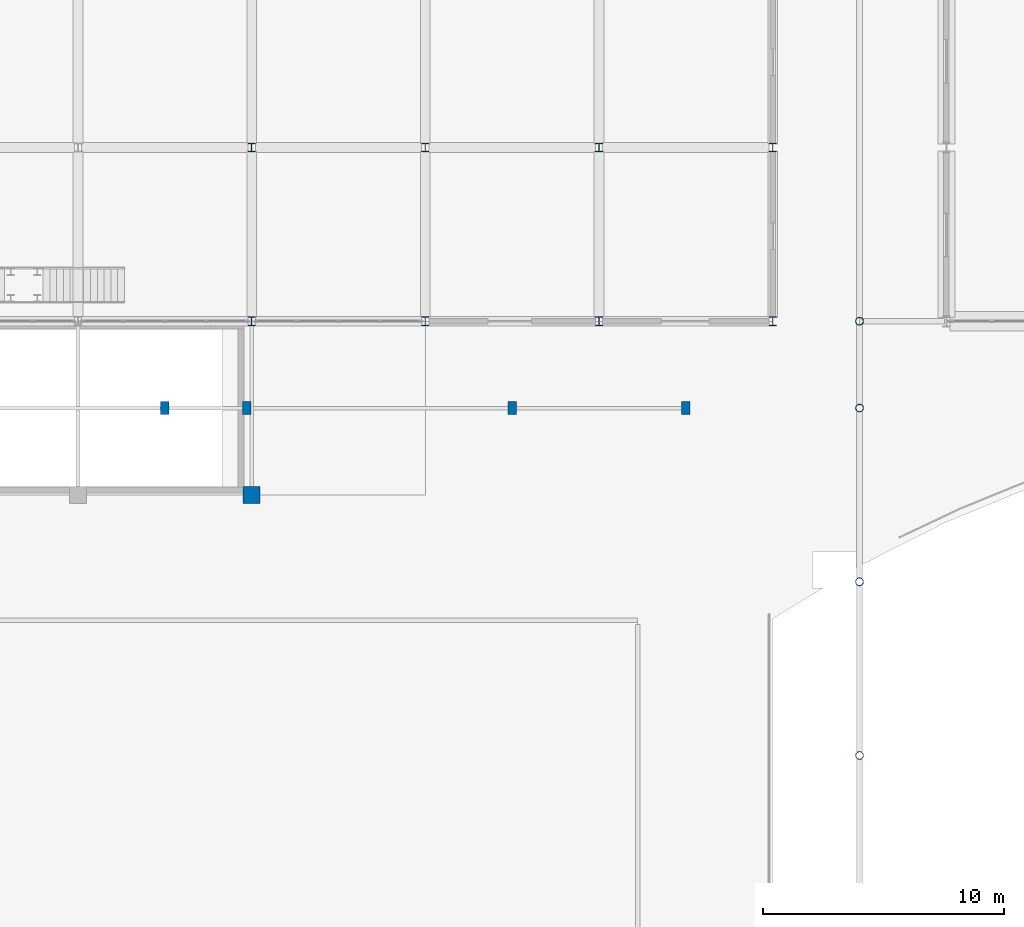
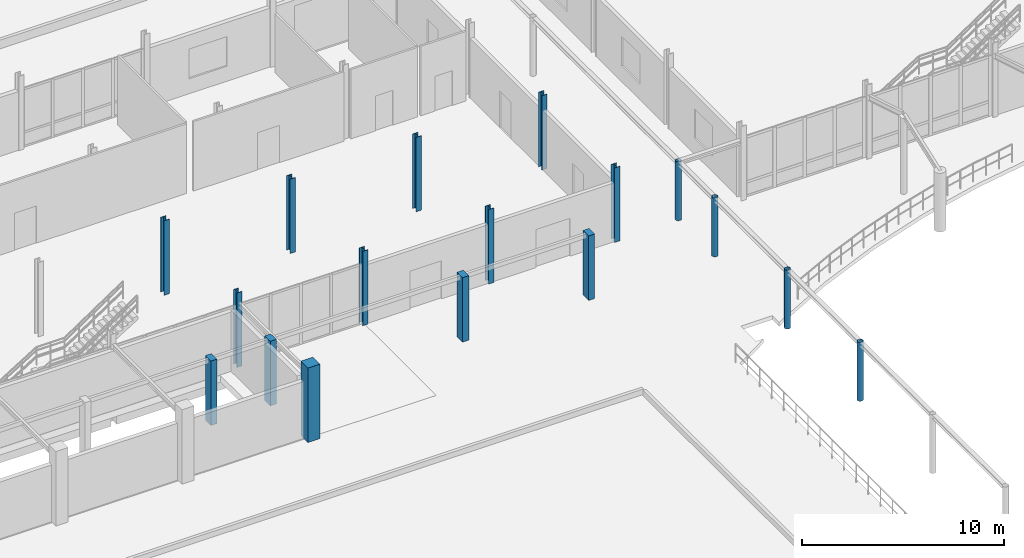
# One storey, part 4 of 139: 17 columns.
"""IFC4 building model written with IfcOpenShell, lengths in metres."""

from ifc_helpers import new_model, si_unit, direction, frame, origin, origin_2d, place, context, subcontext, project, spatial, rectangle, hollow_circle, i_section, extrude, material, material_profile, profile_set, type_object, element, save


model = new_model("IFC4")

# Units and contexts
model_context = context("Model", 3, precision=1e-05, world=origin(), true_north=direction((0.0, 1.0)))
body_context = subcontext(model_context, "Body", "Model", "MODEL_VIEW")
ifc_project = project(units=[si_unit("LENGTHUNIT", "METRE"), si_unit("AREAUNIT", "SQUARE_METRE"), si_unit("VOLUMEUNIT", "CUBIC_METRE"), si_unit("PLANEANGLEUNIT", "RADIAN"), si_unit("MASSUNIT", "GRAM", prefix="KILO")], contexts=[model_context])

# Site, building, storey
site_placement = place(None, origin())
site = spatial("IfcSite", under=ifc_project, at=site_placement, CompositionType="ELEMENT")
building_placement = place(site_placement, origin())
building = spatial("IfcBuilding", under=site, at=building_placement, Name="Suanplinth Sawtooth Commons", CompositionType="ELEMENT")
storey_placement = place(building_placement, origin())
storey = spatial("IfcBuildingStorey", under=building, at=storey_placement, Name="L00", CompositionType="ELEMENT", Elevation=0.0)

# Columns
ifc_material_1 = material(Name="Concrete C40/50", Category="concrete")
ifc_material_profile_1 = material_profile(ifc_material_1, rectangle(XDim=0.699951171875, YDim=0.699951171875, at=origin_2d()), Name="RC-COL 700x700")
ifc_profile_set_1 = profile_set([ifc_material_profile_1], Name="Concrete C40/50")
column_type_1 = type_object("IfcColumnType", Name="C-02", PredefinedType="COLUMN", material=ifc_profile_set_1)
column_placement = place(storey_placement, frame((36.0, 43.199951171875, 0.0), z_axis=(0.0, 0.0, 1.0), x_axis=(1.0, 0.0, 0.0)))
element("IfcColumn", 1, at=column_placement, inside=storey, type_object=column_type_1, Name="Column L00 6/G", PredefinedType="COLUMN", context=body_context, shape_type="SweptSolid", body=[
    extrude(rectangle(XDim=0.699951171875, YDim=0.699951171875, at=origin_2d()), origin(), (0.0, 0.0, 1.0), 4.5),
])
ifc_material_2 = material(Name="Steel S355JR", Category="steel")
ifc_material_profile_2 = material_profile(ifc_material_2, i_section(OverallWidth=0.300048828125, OverallDepth=0.360107421875, WebThickness=0.012451171875, FlangeThickness=0.0224609375, at=origin_2d()), Name="HEB 360")
ifc_profile_set_2 = profile_set([ifc_material_profile_2], Name="Steel S355JR")
column_type_2 = type_object("IfcColumnType", Name="C-10", PredefinedType="COLUMN", material=ifc_profile_set_2)
for number, where, z_axis, x_axis, name in (
    (2, (36.0, 50.39990234375, 0.0), (0.0, 0.0, 1.0), (1.0, 0.0, 0.0), "Column L00 6/H"),
    (3, (36.0, 57.60009765625, 0.0), (0.0, 0.0, 1.0), (1.0, 0.0, 0.0), "Column L00 6/J"),
    (4, (43.199951171875, 50.39990234375, 0.0), (0.0, 0.0, 1.0), (1.0, 0.0, 0.0), "Column L00 7/H"),
    (5, (43.199951171875, 57.60009765625, 0.0), (0.0, 0.0, 1.0), (1.0, 0.0, 0.0), "Column L00 7/J"),
    (6, (50.39990234375, 50.39990234375, 0.0), (0.0, 0.0, 1.0), (1.0, 0.0, 0.0), "Column L00 8/H"),
    (7, (50.39990234375, 57.60009765625, 0.0), (0.0, 0.0, 1.0), (1.0, 0.0, 0.0), "Column L00 8/J"),
    (8, (57.60009765625, 50.39990234375, 0.0), (0.0, 0.0, 1.0), (1.0, 0.0, 0.0), "Column L00 9/H"),
    (9, (57.60009765625, 57.60009765625, 0.0), (0.0, 0.0, 1.0), (1.0, 0.0, 0.0), "Column L00 9/J"),
):
    element("IfcColumn", number, at=place(storey_placement, frame(where, z_axis=z_axis, x_axis=x_axis)), inside=storey, type_object=column_type_2, Name=name, PredefinedType="COLUMN", context=body_context, shape_type="SweptSolid", body=[
        extrude(i_section(OverallWidth=0.300048828125, OverallDepth=0.360107421875, WebThickness=0.012451171875, FlangeThickness=0.0224609375, at=origin_2d()), origin(), (0.0, 0.0, 1.0), 4.5),
    ])
ifc_material_profile_3 = material_profile(ifc_material_2, hollow_circle(Radius=0.161865234375, WallThickness=0.012451171875, at=origin_2d()), Name="CHS 323.9x12.5")
ifc_profile_set_3 = profile_set([ifc_material_profile_3], Name="Steel S355JR")
column_type_3 = type_object("IfcColumnType", Name="C-12", PredefinedType="COLUMN", material=ifc_profile_set_3)
for number, where, z_axis, x_axis, name in (
    (10, (61.199951171875, 32.39990234375, 0.0), (0.0, 0.0, 1.0), (1.0, 0.0, 0.0), "West Breezeway Canopy Column W3"),
    (11, (61.199951171875, 39.60009765625, 0.0), (0.0, 0.0, 1.0), (1.0, 0.0, 0.0), "West Breezeway Canopy Column W4"),
    (12, (61.199951171875, 46.800048828125, 0.0), (0.0, 0.0, 1.0), (1.0, 0.0, 0.0), "West Breezeway Canopy Column W5"),
    (13, (61.199951171875, 50.39990234375, 0.0), (0.0, 0.0, 1.0), (1.0, 0.0, 0.0), "West Breezeway Canopy Column W6"),
):
    element("IfcColumn", number, at=place(storey_placement, frame(where, z_axis=z_axis, x_axis=x_axis)), inside=storey, type_object=column_type_3, Name=name, PredefinedType="COLUMN", context=body_context, shape_type="SweptSolid", body=[
        extrude(hollow_circle(Radius=0.161865234375, WallThickness=0.012451171875, at=origin_2d()), origin(), (0.0, 0.0, 1.0), 3.550048828125),
    ])
ifc_material_3 = material(Name="Precast concrete C40/50", Category="concrete")
ifc_material_profile_4 = material_profile(ifc_material_3, rectangle(XDim=0.35009765625, YDim=0.550048828125, at=origin_2d()), Name="PC-PIL 350x550")
ifc_profile_set_4 = profile_set([ifc_material_profile_4], Name="Precast concrete C40/50")
column_type_4 = type_object("IfcColumnType", Name="C-13", PredefinedType="PILASTER", material=ifc_profile_set_4)
for number, where, z_axis, x_axis, name in (
    (14, (32.39990234375, 46.800048828125, 0.0), (0.0, 0.0, 1.0), (1.0, 0.0, 0.0), "Veranda Colonnade Pilaster L00 P3"),
    (15, (35.800048828125, 46.800048828125, 0.0), (0.0, 0.0, 1.0), (1.0, 0.0, 0.0), "Veranda Colonnade Pilaster L00 P4"),
    (16, (46.800048828125, 46.800048828125, 0.0), (0.0, 0.0, 1.0), (1.0, 0.0, 0.0), "Veranda Colonnade Pilaster L00 P5"),
    (17, (54.0, 46.800048828125, 0.0), (0.0, 0.0, 1.0), (1.0, 0.0, 0.0), "Veranda Colonnade Pilaster L00 P6"),
):
    element("IfcColumn", number, at=place(storey_placement, frame(where, z_axis=z_axis, x_axis=x_axis)), inside=storey, type_object=column_type_4, Name=name, PredefinedType="PILASTER", context=body_context, shape_type="SweptSolid", body=[
        extrude(rectangle(XDim=0.35009765625, YDim=0.550048828125, at=origin_2d()), origin(), (0.0, 0.0, 1.0), 3.89990234375),
    ])

save(model, "model.ifc")
